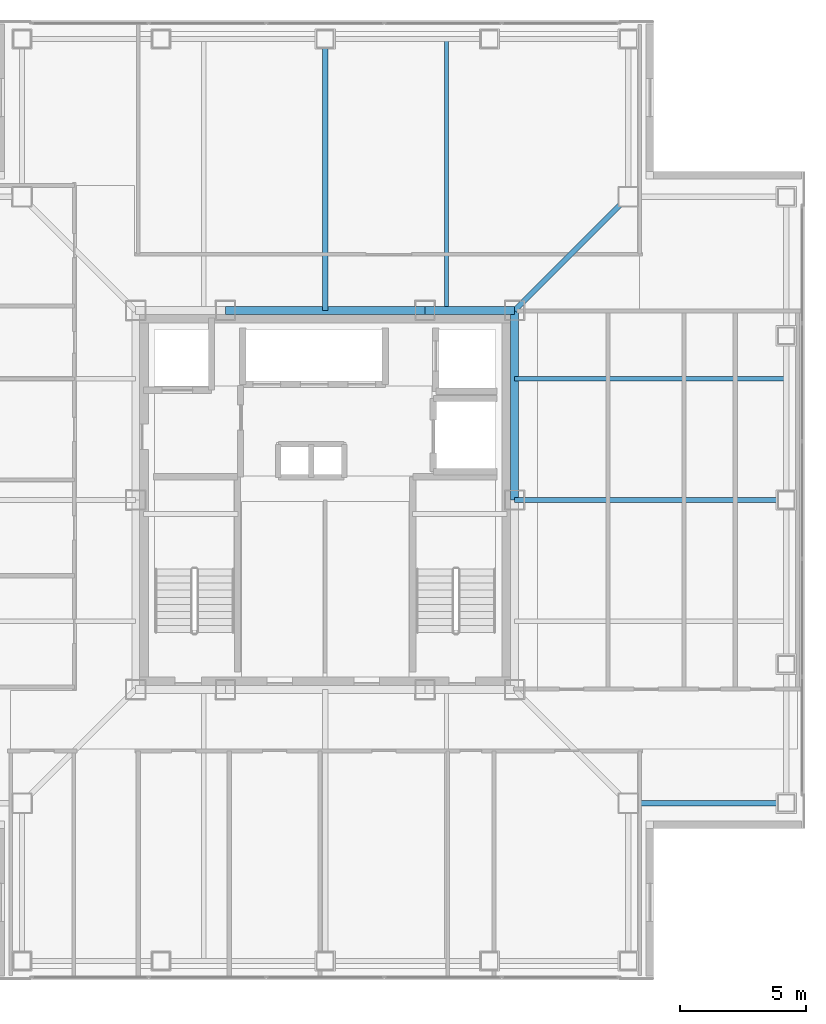
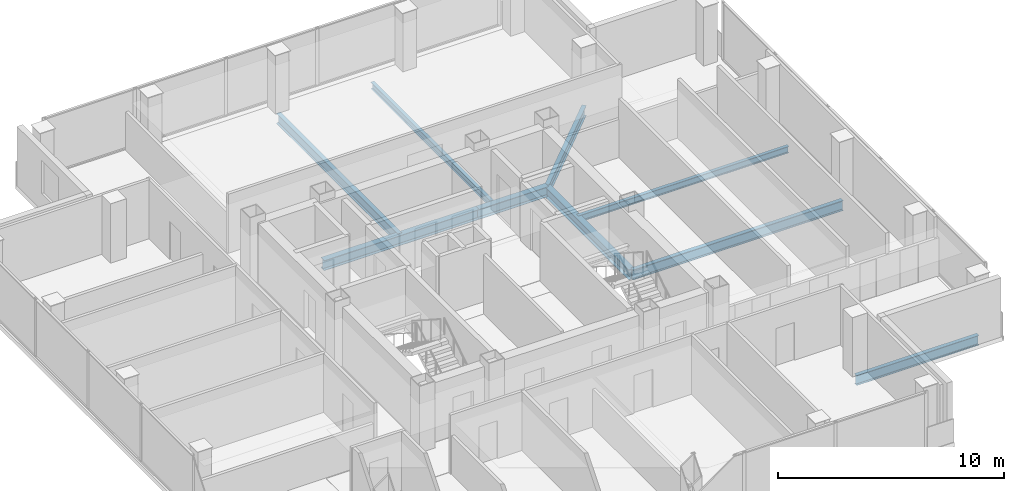
# One storey, part 5 of 16: 9 beams.
"""IFC4 building model written with IfcOpenShell, lengths in metres."""

import ifcopenshell
import ifcopenshell.guid

model = None  # the IFC model being written
_history = None  # IfcOwnerHistory: only IFC2X3 demands one
_inside = {}  # id of a spatial element -> (the spatial element, [elements in it])
_under = {}  # id of a project, library or spatial element -> (it, [spatial elements below it])
_declared = {}  # id of a project -> (the project, [libraries it declares])
_typed = {}  # id of a type object -> (the type object, [elements of that type])
_made_of = {}  # id of a material, layer set ... -> (it, [elements and type objects made of it])


def new_model(schema):
    """Start an empty IFC model of exactly this schema.

    Asked for "IFC4X3", IfcOpenShell would pick the latest addendum, in which some entities
    have other attributes; the version numbers below select the first issue.
    IFC2X3 requires an IfcOwnerHistory on every rooted entity: one is made here for all.
    """
    global model, _history
    if schema == "IFC4X3":
        model = ifcopenshell.file(schema_version=(4, 3, 0, 0))
    else:
        model = ifcopenshell.file(schema=schema)
    _inside.clear()
    _under.clear()
    _declared.clear()
    _typed.clear()
    _made_of.clear()
    _history = None
    if model.schema == "IFC2X3":
        org = make("IfcOrganization", Name="unknown")
        user = make(
            "IfcPersonAndOrganization",
            ThePerson=make("IfcPerson", FamilyName="unknown"),
            TheOrganization=org,
        )
        app = make(
            "IfcApplication",
            ApplicationDeveloper=org,
            Version="unknown",
            ApplicationFullName="unknown",
            ApplicationIdentifier="unknown",
        )
        _history = make(
            "IfcOwnerHistory",
            OwningUser=user,
            OwningApplication=app,
            ChangeAction="ADDED",
            CreationDate=0,
        )
    return model


def make(cls, **values):
    """One entity of the class cls with the attributes given. An attribute that is None is left unset."""
    return model.create_entity(
        cls, **{name: value for name, value in values.items() if value is not None}
    )


def rooted(cls, **values):
    """An entity with a GlobalId (a new one), such as an element, a storey or a relation."""
    return make(cls, GlobalId=ifcopenshell.guid.new(), OwnerHistory=_history, **values)


def si_unit(unit_type, name, prefix=None):
    """IfcSIUnit, for example si_unit("LENGTHUNIT", "METRE", prefix="MILLI")."""
    return make("IfcSIUnit", UnitType=unit_type, Prefix=prefix, Name=name)


def assignment(units):
    """IfcUnitAssignment: the units of a project."""
    return None if units is None else make("IfcUnitAssignment", Units=units)


def point(xyz):
    """IfcCartesianPoint."""
    return None if xyz is None else make("IfcCartesianPoint", Coordinates=xyz)


def direction(xyz):
    """IfcDirection."""
    return None if xyz is None else make("IfcDirection", DirectionRatios=xyz)


def frame(location, z_axis=None, x_axis=None):
    """IfcAxis2Placement3D, a coordinate frame: its origin and axes. An axis left out is left unset."""
    return make(
        "IfcAxis2Placement3D",
        Location=point(location),
        Axis=direction(z_axis),
        RefDirection=direction(x_axis),
    )


def frame_2d(location, x_axis=None):
    """IfcAxis2Placement2D, a coordinate frame in the plane: its origin and x axis."""
    return make(
        "IfcAxis2Placement2D", Location=point(location), RefDirection=direction(x_axis)
    )


def origin():
    """The frame at (0, 0, 0) with its axes left unset."""
    return frame((0.0, 0.0, 0.0))


def origin_2d():
    """The frame at (0, 0) in the plane with its x axis left unset."""
    return frame_2d((0.0, 0.0))


def place(relative_to, where):
    """IfcLocalPlacement: puts the frame where relative to a parent placement (None: the world)."""
    return make(
        "IfcLocalPlacement", PlacementRelTo=relative_to, RelativePlacement=where
    )


def context(
    kind, dimensions, precision=None, world=None, true_north=None, identifier=None
):
    """IfcGeometricRepresentationContext, for example the 3D "Model" context."""
    return make(
        "IfcGeometricRepresentationContext",
        ContextIdentifier=identifier,
        ContextType=kind,
        CoordinateSpaceDimension=dimensions,
        Precision=precision,
        WorldCoordinateSystem=world,
        TrueNorth=true_north,
    )


def subcontext(parent, identifier, kind, view, scale=None):
    """IfcGeometricRepresentationSubContext, for example "Body" below "Model"."""
    return make(
        "IfcGeometricRepresentationSubContext",
        ContextIdentifier=identifier,
        ContextType=kind,
        ParentContext=parent,
        TargetScale=scale,
        TargetView=view,
    )


def project(units=None, contexts=None):
    """IfcProject with its units and contexts."""
    return rooted(
        "IfcProject",
        Name="project",
        RepresentationContexts=contexts,
        UnitsInContext=assignment(units),
    )


def spatial(cls, under=None, at=None, **own):
    """A site, building, storey or space (cls), placed at a placement, below another one or the project."""
    s = rooted(cls, ObjectPlacement=at, **own)
    if under is not None:
        _under.setdefault(under.id(), (under, []))[1].append(s)
    return s


def profile(cls, at=None, kind="AREA", **sizes):
    """A parametric profile (cls). Its sizes go by their IFC names, for example OverallWidth=200.0."""
    return make(cls, ProfileType=kind, Position=at, **sizes)


def i_section(**sizes):
    """IfcIShapeProfileDef."""
    return profile("IfcIShapeProfileDef", **sizes)


def extrude(swept, where, along, depth):
    """IfcExtrudedAreaSolid: the profile swept, set in the frame where, extruded along a direction by depth."""
    return make(
        "IfcExtrudedAreaSolid",
        SweptArea=swept,
        Position=where,
        ExtrudedDirection=direction(along),
        Depth=depth,
    )


def shape(context_of_items, identifier, shape_type, items):
    """IfcShapeRepresentation: the items that make up one representation, for example the "Body"."""
    return make(
        "IfcShapeRepresentation",
        ContextOfItems=context_of_items,
        RepresentationIdentifier=identifier,
        RepresentationType=shape_type,
        Items=items,
    )


def material(Name=None, Category=None):
    """IfcMaterial."""
    return make("IfcMaterial", Name=Name, Category=Category)


def material_profile(
    of_material, cross_section, Name=None, Category=None, Priority=None
):
    """IfcMaterialProfile: a cross section and its material."""
    return make(
        "IfcMaterialProfile",
        Name=Name,
        Material=of_material,
        Profile=cross_section,
        Priority=Priority,
        Category=Category,
    )


def profile_set(profiles, Name=None, composite=None):
    """IfcMaterialProfileSet."""
    return make(
        "IfcMaterialProfileSet",
        Name=Name,
        MaterialProfiles=profiles,
        CompositeProfile=composite,
    )


def made_of(thing, what):
    """Note that an element or type object is made of a material, layer set ...; save() writes the relation."""
    if what is not None:
        _made_of.setdefault(what.id(), (what, []))[1].append(thing)
    return thing


def type_object(cls, material=None, **own):
    """A type object (cls), such as IfcWallType, which elements share."""
    return made_of(rooted(cls, **own), material)


def element(
    cls,
    number,
    at=None,
    inside=None,
    cuts=None,
    type_object=None,
    material=None,
    context=None,
    identifier="Body",
    shape_type=None,
    held_by="IfcProductDefinitionShape",
    body=None,
    shapes=None,
    **own,
):
    """One element of the class cls, such as IfcWall. Its Tag is "e" and its number.

    at: its placement. inside: the storey or other place that contains it. cuts: it is an
    opening in that element (IfcRelVoidsElement). A single representation is given by context,
    identifier, shape_type and body (its items); several are given by shapes. held_by: the class
    of the entity that holds the representations. save() writes the other relations.
    """
    e = rooted(cls, Tag="e%d" % number, ObjectPlacement=at, **own)
    if body is not None:
        shapes = [shape(context, identifier, shape_type, body)]
    if shapes is not None:
        e.Representation = make(held_by, Representations=shapes)
    if inside is not None:
        _inside.setdefault(inside.id(), (inside, []))[1].append(e)
    if cuts is not None:
        rooted(
            "IfcRelVoidsElement", RelatingBuildingElement=cuts, RelatedOpeningElement=e
        )
    if type_object is not None:
        _typed.setdefault(type_object.id(), (type_object, []))[1].append(e)
    return made_of(e, material)


def aggregate(whole, parts):
    """IfcRelAggregates: a whole, such as a stair, and the parts it consists of."""
    return rooted("IfcRelAggregates", RelatingObject=whole, RelatedObjects=parts)


def save(model, path):
    """Write the relations noted so far, then the file.

    IfcRelAggregates (storeys below a building ...), IfcRelContainedInSpatialStructure (elements
    in a storey), IfcRelDefinesByType, IfcRelAssociatesMaterial and IfcRelDeclares: one each for
    every whole, place, type object, material and project.
    """
    for whole, parts in _under.values():
        aggregate(whole, parts)
    for where, things in _inside.values():
        rooted(
            "IfcRelContainedInSpatialStructure",
            RelatedElements=things,
            RelatingStructure=where,
        )
    for kind, things in _typed.values():
        rooted("IfcRelDefinesByType", RelatedObjects=things, RelatingType=kind)
    for what, things in _made_of.values():
        rooted("IfcRelAssociatesMaterial", RelatedObjects=things, RelatingMaterial=what)
    for by, libraries in _declared.values():
        rooted("IfcRelDeclares", RelatingContext=by, RelatedDefinitions=libraries)
    model.write(path)


model = new_model("IFC4")

# Units and contexts
model_context = context("Model", 3, precision=1e-05, world=origin(), true_north=direction((0.0, 1.0)))
body_context = subcontext(model_context, "Body", "Model", "MODEL_VIEW")
ifc_project = project(units=[si_unit("LENGTHUNIT", "METRE"), si_unit("AREAUNIT", "SQUARE_METRE"), si_unit("VOLUMEUNIT", "CUBIC_METRE"), si_unit("PLANEANGLEUNIT", "RADIAN"), si_unit("MASSUNIT", "GRAM", prefix="KILO")], contexts=[model_context])

# Site, building, storey
site_placement = place(None, origin())
site = spatial("IfcSite", under=ifc_project, at=site_placement, CompositionType="ELEMENT")
building_placement = place(site_placement, origin())
building = spatial("IfcBuilding", under=site, at=building_placement, Name="Trevonay Congress Spire", CompositionType="ELEMENT")
storey_placement = place(building_placement, frame((0.0, 0.0, 297.199951171875)))
storey = spatial("IfcBuildingStorey", under=building, at=storey_placement, Name="L78", CompositionType="ELEMENT", Elevation=297.199951171875)

# Beams
ifc_material = material(Name="Steel ASTM A572 Grade 50", Category="steel")
ifc_material_profile_1 = material_profile(ifc_material, i_section(OverallWidth=0.2119140625, OverallDepth=0.5439453125, WebThickness=0.01318359375, FlangeThickness=0.021240234375, FilletRadius=0.014892578125, at=origin_2d()), Name="W530x123")
ifc_profile_set_1 = profile_set([ifc_material_profile_1], Name="Steel ASTM A572 Grade 50")
beam_type_1 = type_object("IfcBeamType", Name="BM-GIRD-W530X123", PredefinedType="BEAM", material=ifc_profile_set_1)
beam_1_placement = place(storey_placement, frame((7.5, 7.5, -0.511962890625), z_axis=(0.707106781187, 0.707106781187, 0.0), x_axis=(-0.707106781187, 0.707106781187, 0.0)))
element("IfcBeam", 1, at=beam_1_placement, inside=storey, type_object=beam_type_1, Name="L78 structural beam BM-L78-CDNE", PredefinedType="BEAM", context=body_context, shape_type="SweptSolid", body=[
    extrude(i_section(OverallWidth=0.2119140625, OverallDepth=0.5439453125, WebThickness=0.01318359375, FlangeThickness=0.021240234375, FilletRadius=0.014892578125, at=origin_2d()), origin(), (0.0, 0.0, 1.0), 6.364013671875),
])
for number, where, z_axis, x_axis, name in (
    (2, (0.0, 7.5, -0.511962890625), (0.0, 1.0, 0.0), (-1.0, 0.0, 0.0), "L78 structural beam BM-L78-GC-N"),
    (3, (7.5, 0.0, -0.511962890625), (1.0, 0.0, 0.0), (0.0, 1.0, 0.0), "L78 structural beam BM-L78-GC-E"),
):
    element("IfcBeam", number, at=place(storey_placement, frame(where, z_axis=z_axis, x_axis=x_axis)), inside=storey, type_object=beam_type_1, Name=name, PredefinedType="BEAM", context=body_context, shape_type="SweptSolid", body=[
        extrude(i_section(OverallWidth=0.2119140625, OverallDepth=0.5439453125, WebThickness=0.01318359375, FlangeThickness=0.021240234375, FilletRadius=0.014892578125, at=origin_2d()), origin(), (0.0, 0.0, 1.0), 10.75),
    ])
ifc_material_profile_2 = material_profile(ifc_material, i_section(OverallWidth=0.31201171875, OverallDepth=0.54296875, WebThickness=0.0126953125, FlangeThickness=0.020263671875, FilletRadius=0.014892578125, at=origin_2d()), Name="W530x150")
ifc_profile_set_2 = profile_set([ifc_material_profile_2], Name="Steel ASTM A572 Grade 50")
beam_type_2 = type_object("IfcBeamType", Name="BM-GIRD-W530X150", PredefinedType="BEAM", material=ifc_profile_set_2)
beam_2_placement = place(storey_placement, frame((-3.949951171875, 7.5, -0.511474609375), z_axis=(1.0, 0.0, 0.0), x_axis=(0.0, 1.0, 0.0)))
element("IfcBeam", 4, at=beam_2_placement, inside=storey, type_object=beam_type_2, Name="L78 structural beam BM-L78-CR-N2", PredefinedType="BEAM", context=body_context, shape_type="SweptSolid", body=[
    extrude(i_section(OverallWidth=0.31201171875, OverallDepth=0.54296875, WebThickness=0.0126953125, FlangeThickness=0.020263671875, FilletRadius=0.014892578125, at=origin_2d()), origin(), (0.0, 0.0, 1.0), 7.89990234375),
])
beam_3_placement = place(storey_placement, frame((3.949951171875, 7.5, -0.511474609375), z_axis=(1.0, 0.0, 0.0), x_axis=(0.0, 1.0, 0.0)))
element("IfcBeam", 5, at=beam_3_placement, inside=storey, type_object=beam_type_2, Name="L78 structural beam BM-L78-CR-N3", PredefinedType="BEAM", context=body_context, shape_type="SweptSolid", body=[
    extrude(i_section(OverallWidth=0.31201171875, OverallDepth=0.54296875, WebThickness=0.0126953125, FlangeThickness=0.020263671875, FilletRadius=0.014892578125, at=origin_2d()), origin(), (0.0, 0.0, 1.0), 3.550048828125),
])
beam_4_placement = place(storey_placement, frame((7.5, 0.0, -0.511474609375), z_axis=(0.0, 1.0, 0.0), x_axis=(-1.0, 0.0, 0.0)))
element("IfcBeam", 6, at=beam_4_placement, inside=storey, type_object=beam_type_2, Name="L78 structural beam BM-L78-CR-E2", PredefinedType="BEAM", context=body_context, shape_type="SweptSolid", body=[
    extrude(i_section(OverallWidth=0.31201171875, OverallDepth=0.54296875, WebThickness=0.0126953125, FlangeThickness=0.020263671875, FilletRadius=0.014892578125, at=origin_2d()), origin(), (0.0, 0.0, 1.0), 7.5),
])
ifc_material_profile_3 = material_profile(ifc_material, i_section(OverallWidth=0.208984375, OverallDepth=0.532958984375, WebThickness=0.01025390625, FlangeThickness=0.015625, FilletRadius=0.014892578125, at=origin_2d()), Name="W530x92")
ifc_profile_set_3 = profile_set([ifc_material_profile_3], Name="Steel ASTM A572 Grade 50")
beam_type_3 = type_object("IfcBeamType", Name="BM-RING-W530X92", PredefinedType="BEAM", material=ifc_profile_set_3)
beam_5_placement = place(storey_placement, frame((18.25, -12.0, -0.50634765625), z_axis=(-1.0, 0.0, 0.0), x_axis=(0.0, -1.0, 0.0)))
element("IfcBeam", 7, at=beam_5_placement, inside=storey, type_object=beam_type_3, Name="L78 structural beam BM-L78-N2SE", PredefinedType="BEAM", context=body_context, shape_type="SweptSolid", body=[
    extrude(i_section(OverallWidth=0.208984375, OverallDepth=0.532958984375, WebThickness=0.01025390625, FlangeThickness=0.015625, FilletRadius=0.014892578125, at=origin_2d()), origin(), (0.0, 0.0, 1.0), 6.25),
])
ifc_material_profile_4 = material_profile(ifc_material, i_section(OverallWidth=0.172119140625, OverallDepth=0.35791015625, WebThickness=0.0078125, FlangeThickness=0.01318359375, FilletRadius=0.011962890625, at=origin_2d()), Name="W360x57.8")
ifc_profile_set_4 = profile_set([ifc_material_profile_4], Name="Steel ASTM A572 Grade 50")
beam_type_4 = type_object("IfcBeamType", Name="JS-COMP-W360X57", PredefinedType="JOIST", material=ifc_profile_set_4)
for number, where, z_axis, x_axis, name in (
    (8, (4.800048828125, 7.5, -0.4189453125), (0.0, 1.0, 0.0), (-1.0, 0.0, 0.0), "L78 structural beam JS-L78-NS-N3"),
    (9, (7.5, 4.800048828125, -0.4189453125), (1.0, 0.0, 0.0), (0.0, 1.0, 0.0), "L78 structural beam JS-L78-EW-E3"),
):
    element("IfcBeam", number, at=place(storey_placement, frame(where, z_axis=z_axis, x_axis=x_axis)), inside=storey, type_object=beam_type_4, Name=name, PredefinedType="JOIST", context=body_context, shape_type="SweptSolid", body=[
        extrude(i_section(OverallWidth=0.172119140625, OverallDepth=0.35791015625, WebThickness=0.0078125, FlangeThickness=0.01318359375, FilletRadius=0.011962890625, at=origin_2d()), origin(), (0.0, 0.0, 1.0), 10.75),
    ])

save(model, "model.ifc")
